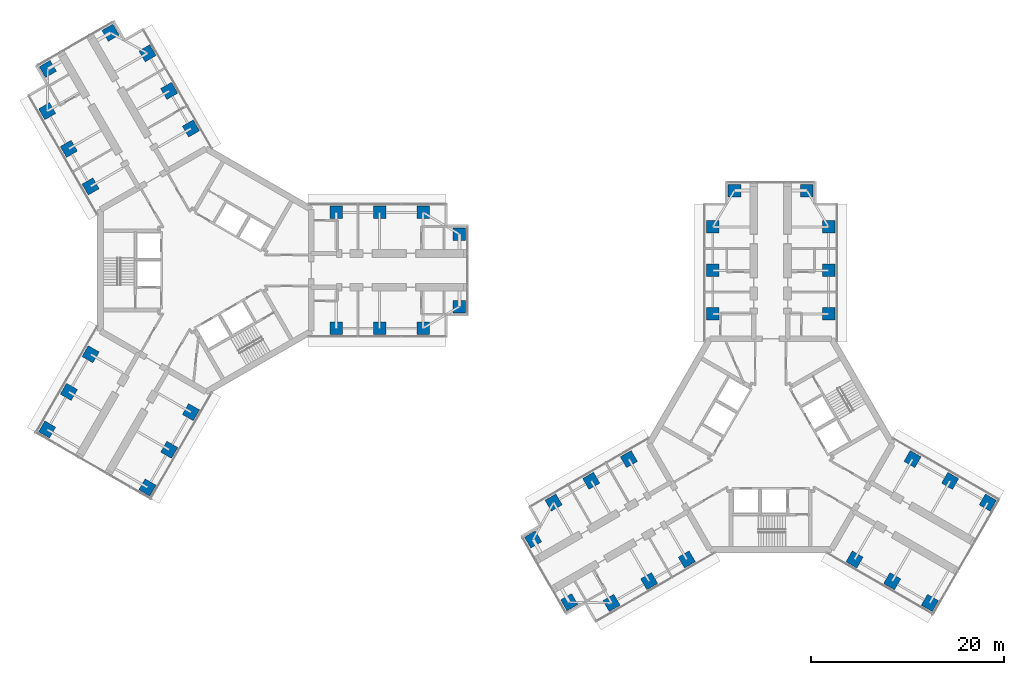
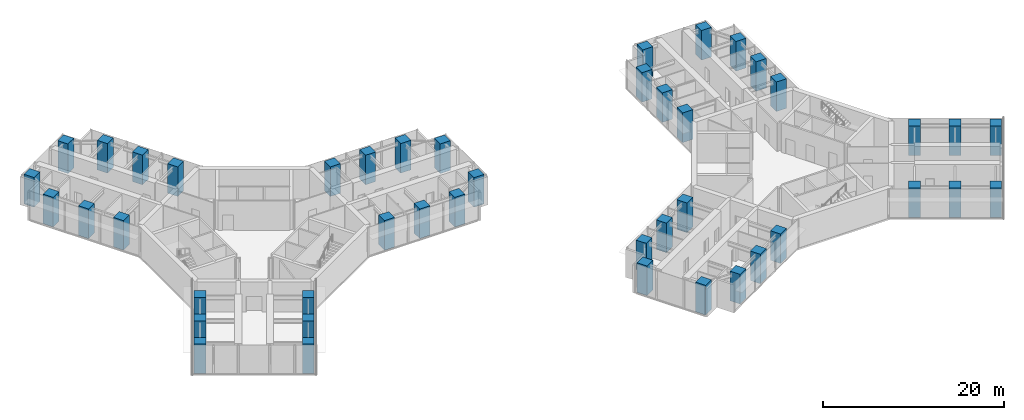
# One storey, part 1 of 22: 44 columns.
"""IFC4 building model written with IfcOpenShell, lengths in metres."""

from ifc_helpers import new_model, si_unit, direction, frame, origin, origin_2d, place, context, subcontext, project, spatial, rectangle, extrude, material, material_profile, profile_set, type_object, element, save


model = new_model("IFC4")

# Units and contexts
model_context = context("Model", 3, precision=1e-05, world=origin(), true_north=direction((0.0, 1.0)))
body_context = subcontext(model_context, "Body", "Model", "MODEL_VIEW")
ifc_project = project(units=[si_unit("LENGTHUNIT", "METRE"), si_unit("AREAUNIT", "SQUARE_METRE"), si_unit("VOLUMEUNIT", "CUBIC_METRE"), si_unit("PLANEANGLEUNIT", "RADIAN"), si_unit("MASSUNIT", "GRAM", prefix="KILO")], contexts=[model_context])

# Site, building, storey
site_placement = place(None, origin())
site = spatial("IfcSite", under=ifc_project, at=site_placement, CompositionType="ELEMENT")
building_placement = place(site_placement, origin())
building = spatial("IfcBuilding", under=site, at=building_placement, Name="Upepo Twin Towers", CompositionType="ELEMENT")
storey_placement = place(building_placement, frame((0.0, 0.0, 125.5)))
storey = spatial("IfcBuildingStorey", under=building, at=storey_placement, Name="L30", CompositionType="ELEMENT", Elevation=125.5)

# Columns
ifc_material = material(Name="Concrete C60/75", Category="concrete")
ifc_material_profile = material_profile(ifc_material, rectangle(XDim=1.300048828125, YDim=1.300048828125, at=origin_2d()), Name="RC 1300x1300")
ifc_profile_set = profile_set([ifc_material_profile], Name="Concrete C60/75")
column_type = type_object("IfcColumnType", Name="Tower column RC 1300x1300", PredefinedType="COLUMN", material=ifc_profile_set)
for number, where, z_axis, x_axis, name in (
    (1, (13.5, 6.0, 0.0), (0.0, 0.0, 1.0), (1.0, 0.0, 0.0), "T1 column AL135"),
    (2, (13.5, -6.0, 0.0), (0.0, 0.0, 1.0), (1.0, 0.0, 0.0), "T1 column AR135"),
    (3, (18.0, 6.0, 0.0), (0.0, 0.0, 1.0), (1.0, 0.0, 0.0), "T1 column AL180"),
    (4, (18.0, -6.0, 0.0), (0.0, 0.0, 1.0), (1.0, 0.0, 0.0), "T1 column AR180"),
    (5, (22.5, 6.0, 0.0), (0.0, 0.0, 1.0), (1.0, 0.0, 0.0), "T1 column AL225"),
    (6, (22.5, -6.0, 0.0), (0.0, 0.0, 1.0), (1.0, 0.0, 0.0), "T1 column AR225"),
    (7, (26.25, 3.75, 0.0), (0.0, 0.0, 1.0), (1.0, 0.0, 0.0), "T1 column ALN"),
    (8, (26.25, -3.75, 0.0), (0.0, 0.0, 1.0), (1.0, 0.0, 0.0), "T1 column ARN"),
    (9, (-11.946044921875, 8.69140625, 0.0), (0.0, 0.0, 1.0), (0.866025403784, 0.5, 0.0), "T1 column BL135"),
    (10, (-1.553955078125, 14.69140625, 0.0), (0.0, 0.0, 1.0), (0.866025403784, 0.5, 0.0), "T1 column BR135"),
    (11, (-14.196044921875, 12.58837890625, 0.0), (0.0, 0.0, 1.0), (0.866025403784, 0.5, 0.0), "T1 column BL180"),
    (12, (-3.803955078125, 18.58837890625, 0.0), (0.0, 0.0, 1.0), (0.866025403784, 0.5, 0.0), "T1 column BR180"),
    (13, (-16.446044921875, 16.485595703125, 0.0), (0.0, 0.0, 1.0), (0.866025403784, 0.5, 0.0), "T1 column BL225"),
    (14, (-6.053955078125, 22.485595703125, 0.0), (0.0, 0.0, 1.0), (0.866025403784, 0.5, 0.0), "T1 column BR225"),
    (15, (-16.37255859375, 20.858154296875, 0.0), (0.0, 0.0, 1.0), (0.866025403784, 0.5, 0.0), "T1 column BLN"),
    (16, (-9.87744140625, 24.608154296875, 0.0), (0.0, 0.0, 1.0), (0.866025403784, 0.5, 0.0), "T1 column BRN"),
    (17, (-1.553955078125, -14.69140625, 0.0), (0.0, 0.0, 1.0), (0.5, 0.866025403784, 0.0), "T1 column CL135"),
    (18, (-11.946044921875, -8.69140625, 0.0), (0.0, 0.0, 1.0), (0.5, 0.866025403784, 0.0), "T1 column CR135"),
    (19, (-3.803955078125, -18.58837890625, 0.0), (0.0, 0.0, 1.0), (0.5, 0.866025403784, 0.0), "T1 column CL180"),
    (20, (-14.196044921875, -12.58837890625, 0.0), (0.0, 0.0, 1.0), (0.5, 0.866025403784, 0.0), "T1 column CR180"),
    (21, (-6.053955078125, -22.485595703125, 0.0), (0.0, 0.0, 1.0), (0.5, 0.866025403784, 0.0), "T1 column CL225"),
    (22, (-16.446044921875, -16.485595703125, 0.0), (0.0, 0.0, 1.0), (0.5, 0.866025403784, 0.0), "T1 column CR225"),
    (23, (52.5, -4.5, 0.0), (0.0, 0.0, 1.0), (1.0, 0.0, 0.0), "T2 column AL135"),
    (24, (64.5, -4.5, 0.0), (0.0, 0.0, 1.0), (1.0, 0.0, 0.0), "T2 column AR135"),
    (25, (52.5, 0.0, 0.0), (0.0, 0.0, 1.0), (1.0, 0.0, 0.0), "T2 column AL180"),
    (26, (64.5, 0.0, 0.0), (0.0, 0.0, 1.0), (1.0, 0.0, 0.0), "T2 column AR180"),
    (27, (52.5, 4.5, 0.0), (0.0, 0.0, 1.0), (1.0, 0.0, 0.0), "T2 column AL225"),
    (28, (64.5, 4.5, 0.0), (0.0, 0.0, 1.0), (1.0, 0.0, 0.0), "T2 column AR225"),
    (29, (54.75, 8.25, 0.0), (0.0, 0.0, 1.0), (1.0, 0.0, 0.0), "T2 column ALN"),
    (30, (62.25, 8.25, 0.0), (0.0, 0.0, 1.0), (1.0, 0.0, 0.0), "T2 column ARN"),
    (31, (49.80859375, -29.946044921875, 0.0), (0.0, 0.0, 1.0), (0.866025403784, 0.5, 0.0), "T2 column BL135"),
    (32, (43.80859375, -19.553955078125, 0.0), (0.0, 0.0, 1.0), (0.866025403784, 0.5, 0.0), "T2 column BR135"),
    (33, (45.91162109375, -32.196044921875, 0.0), (0.0, 0.0, 1.0), (0.866025403784, 0.5, 0.0), "T2 column BL180"),
    (34, (39.91162109375, -21.803955078125, 0.0), (0.0, 0.0, 1.0), (0.866025403784, 0.5, 0.0), "T2 column BR180"),
    (35, (42.014404296875, -34.446044921875, 0.0), (0.0, 0.0, 1.0), (0.866025403784, 0.5, 0.0), "T2 column BL225"),
    (36, (36.014404296875, -24.053955078125, 0.0), (0.0, 0.0, 1.0), (0.866025403784, 0.5, 0.0), "T2 column BR225"),
    (37, (37.641845703125, -34.37255859375, 0.0), (0.0, 0.0, 1.0), (0.866025403784, 0.5, 0.0), "T2 column BLN"),
    (38, (33.891845703125, -27.87744140625, 0.0), (0.0, 0.0, 1.0), (0.866025403784, 0.5, 0.0), "T2 column BRN"),
    (39, (73.19140625, -19.553955078125, 0.0), (0.0, 0.0, 1.0), (0.5, 0.866025403784, 0.0), "T2 column CL135"),
    (40, (67.19140625, -29.946044921875, 0.0), (0.0, 0.0, 1.0), (0.5, 0.866025403784, 0.0), "T2 column CR135"),
    (41, (77.08837890625, -21.803955078125, 0.0), (0.0, 0.0, 1.0), (0.5, 0.866025403784, 0.0), "T2 column CL180"),
    (42, (71.08837890625, -32.196044921875, 0.0), (0.0, 0.0, 1.0), (0.5, 0.866025403784, 0.0), "T2 column CR180"),
    (43, (80.985595703125, -24.053955078125, 0.0), (0.0, 0.0, 1.0), (0.5, 0.866025403784, 0.0), "T2 column CL225"),
    (44, (74.985595703125, -34.446044921875, 0.0), (0.0, 0.0, 1.0), (0.5, 0.866025403784, 0.0), "T2 column CR225"),
):
    element("IfcColumn", number, at=place(storey_placement, frame(where, z_axis=z_axis, x_axis=x_axis)), inside=storey, type_object=column_type, Name=name, PredefinedType="COLUMN", context=body_context, shape_type="SweptSolid", body=[
        extrude(rectangle(XDim=1.300048828125, YDim=1.300048828125, at=origin_2d()), origin(), (0.0, 0.0, 1.0), 4.0),
    ])

save(model, "model.ifc")
